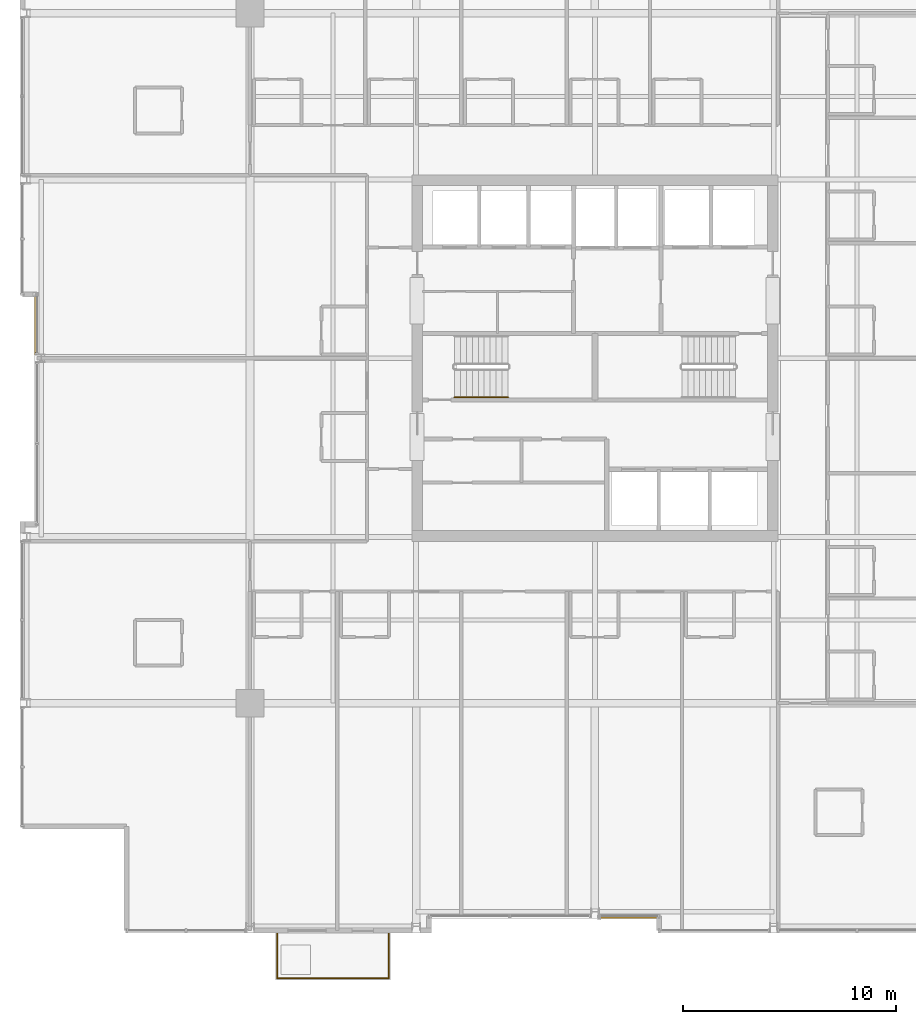
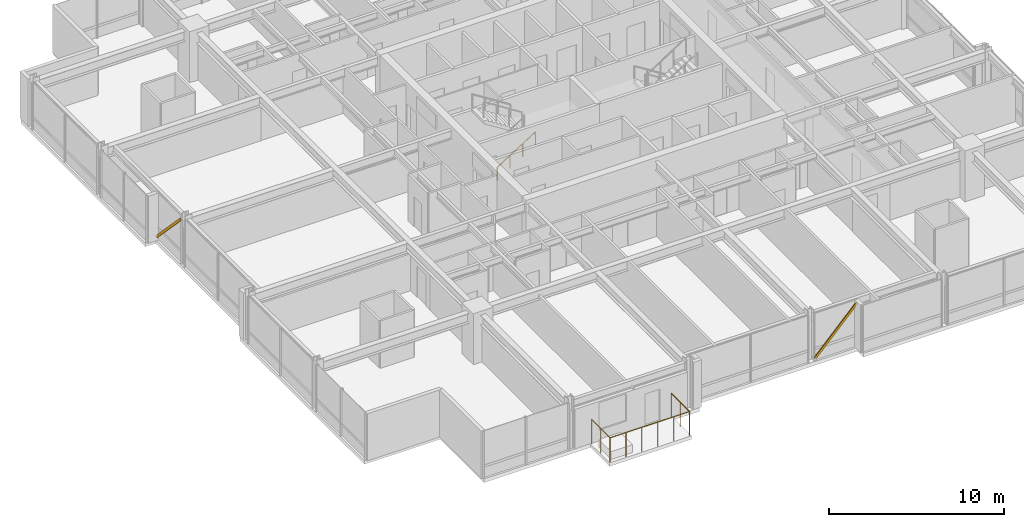
# One storey, part 31 of 33: 2 railings, 2 shading devices.
"""IFC4 building model written with IfcOpenShell, lengths in metres."""

from ifc_helpers import new_model, si_unit, direction, frame, origin, origin_2d, place, context, subcontext, project, spatial, hollow_rectangle, circle, extrude, material, material_profile, profile_set, type_object, element, save


model = new_model("IFC4")

# Units and contexts
model_context = context("Model", 3, precision=1e-05, world=origin(), true_north=direction((0.0, 1.0)))
body_context = subcontext(model_context, "Body", "Model", "MODEL_VIEW")
ifc_project = project(units=[si_unit("LENGTHUNIT", "METRE"), si_unit("AREAUNIT", "SQUARE_METRE"), si_unit("VOLUMEUNIT", "CUBIC_METRE"), si_unit("PLANEANGLEUNIT", "RADIAN"), si_unit("MASSUNIT", "GRAM", prefix="KILO")], contexts=[model_context])

# Site, building, storey
site_placement = place(None, origin())
site = spatial("IfcSite", under=ifc_project, at=site_placement, CompositionType="ELEMENT")
building_placement = place(site_placement, origin())
building = spatial("IfcBuilding", under=site, at=building_placement, Name="Drelvath Grand Hotel", CompositionType="ELEMENT")
storey_placement = place(building_placement, frame((0.0, 0.0, 153.949951171875)))
storey = spatial("IfcBuildingStorey", under=building, at=storey_placement, Name="L39", CompositionType="ELEMENT", Elevation=153.949951171875)

# Railing
ifc_material_1 = material(Name="Painted Steel S275", Category="steel")
railing_type_1 = type_object("IfcRailingType", Name="Core Stair Wall Handrail 900", PredefinedType="HANDRAIL", material=ifc_material_1)
railing_1_placement = place(storey_placement, frame((-6.60009765625, 25.169921875, 0.177490234375)))
element("IfcRailing", 1, at=railing_1_placement, inside=storey, type_object=railing_type_1, Name="L39 ST-1 stair handrail 1", PredefinedType="HANDRAIL", context=body_context, shape_type="SweptSolid", body=[
    extrude(circle(Radius=0.02392578125, at=origin_2d()), frame((0.0, 0.0, 0.8759765625), z_axis=(0.84456994832, 0.0, 0.535445237532), x_axis=(0.0, 1.0, 0.0)), (0.0, 0.0, 1.0), 2.98388671875),
    extrude(circle(Radius=0.02099609375, at=origin_2d()), origin(), (0.0, 0.0, 1.0), 0.851806640625),
    extrude(circle(Radius=0.02099609375, at=origin_2d()), frame((0.840087890625, 0.0, 0.532470703125)), (0.0, 0.0, 1.0), 0.851806640625),
    extrude(circle(Radius=0.02099609375, at=origin_2d()), frame((1.679931640625, 0.0, 1.065185546875)), (0.0, 0.0, 1.0), 0.851806640625),
    extrude(circle(Radius=0.02099609375, at=origin_2d()), frame((2.52001953125, 0.0, 1.59765625)), (0.0, 0.0, 1.0), 0.851806640625),
])

# Shading devices
ifc_material_2 = material(Name="Brushed Pale-Silver Anodised Aluminium", Category="aluminium")
ifc_material_profile = material_profile(ifc_material_2, hollow_rectangle(XDim=0.06494140625, YDim=0.159912109375, WallThickness=0.00390625, at=origin_2d()), Name="HSS160X65X4")
ifc_profile_set = profile_set([ifc_material_profile], Name="Brushed Pale-Silver Anodised Aluminium")
shading_device_type = type_object("IfcShadingDeviceType", Name="Diagonal Solar Fin Pale-Silver Anodised HSS160X65X4", PredefinedType="USERDEFINED", material=ifc_profile_set)
for number, where, z_axis, x_axis, name in (
    (2, (-26.280029296875, 30.0, 0.179931640625), (0.0, -0.690839577848, 0.723008075805), (1.0, 0.0, 0.0), "L39 Diagonal Anodised Fin CW04-L39-WM2"),
    (3, (0.2001953125, 0.719970703125, 0.179931640625), (0.690839577848, 0.0, 0.723008075805), (0.0, 1.0, 0.0), "L39 Diagonal Anodised Fin CW04-L39-SM2"),
):
    element("IfcShadingDevice", number, at=place(storey_placement, frame(where, z_axis=z_axis, x_axis=x_axis)), inside=storey, type_object=shading_device_type, Name=name, ObjectType="FIN", PredefinedType="USERDEFINED", context=body_context, shape_type="SweptSolid", body=[
        extrude(hollow_rectangle(XDim=0.06494140625, YDim=0.159912109375, WallThickness=0.00390625, at=origin_2d()), origin(), (0.0, 0.0, 1.0), 4.052734375),
    ])

# Railing
ifc_material_3 = material(Name="Anodised Aluminium and Laminated Glass Balustrade", Category="aluminium")
railing_type_2 = type_object("IfcRailingType", Name="Raised Planter Edge Balustrade 1700", PredefinedType="BALUSTRADE", material=ifc_material_3)
railing_2_placement = place(storey_placement, frame((-14.919921875, -0.02001953125, 0.0)))
element("IfcRailing", 4, at=railing_2_placement, inside=storey, type_object=railing_type_2, Name="L39 Tree Balcony Perimeter Balustrade 1", PredefinedType="BALUSTRADE", context=body_context, shape_type="SweptSolid", body=[
    extrude(circle(Radius=0.02392578125, at=origin_2d()), frame((0.0, 0.0, 1.67578125), z_axis=(0.0, -1.0, 0.0), x_axis=(1.0, 0.0, 0.0)), (0.0, 0.0, 1.0), 2.10009765625),
    extrude(circle(Radius=0.02392578125, at=origin_2d()), frame((0.0, -2.10009765625, 1.67578125), z_axis=(1.0, 0.0, 0.0), x_axis=(0.0, 1.0, 0.0)), (0.0, 0.0, 1.0), 5.239990234375),
    extrude(circle(Radius=0.02392578125, at=origin_2d()), frame((5.239990234375, -2.10009765625, 1.67578125), z_axis=(0.0, 1.0, 0.0), x_axis=(-1.0, 0.0, 0.0)), (0.0, 0.0, 1.0), 2.10009765625),
    extrude(circle(Radius=0.02099609375, at=origin_2d()), origin(), (0.0, 0.0, 1.0), 1.65185546875),
    extrude(circle(Radius=0.02099609375, at=origin_2d()), frame((0.0, -1.050048828125, 0.0)), (0.0, 0.0, 1.0), 1.65185546875),
    extrude(circle(Radius=0.02099609375, at=origin_2d()), frame((0.0, -2.10009765625, 0.0)), (0.0, 0.0, 1.0), 1.65185546875),
    extrude(circle(Radius=0.02099609375, at=origin_2d()), frame((1.048095703125, -2.10009765625, 0.0)), (0.0, 0.0, 1.0), 1.65185546875),
    extrude(circle(Radius=0.02099609375, at=origin_2d()), frame((2.095947265625, -2.10009765625, 0.0)), (0.0, 0.0, 1.0), 1.65185546875),
    extrude(circle(Radius=0.02099609375, at=origin_2d()), frame((3.14404296875, -2.10009765625, 0.0)), (0.0, 0.0, 1.0), 1.65185546875),
    extrude(circle(Radius=0.02099609375, at=origin_2d()), frame((4.19189453125, -2.10009765625, 0.0)), (0.0, 0.0, 1.0), 1.65185546875),
    extrude(circle(Radius=0.02099609375, at=origin_2d()), frame((5.239990234375, -2.10009765625, 0.0)), (0.0, 0.0, 1.0), 1.65185546875),
    extrude(circle(Radius=0.02099609375, at=origin_2d()), frame((5.239990234375, -1.050048828125, 0.0)), (0.0, 0.0, 1.0), 1.65185546875),
    extrude(circle(Radius=0.02099609375, at=origin_2d()), frame((5.239990234375, 0.0, 0.0)), (0.0, 0.0, 1.0), 1.65185546875),
])

save(model, "model.ifc")
